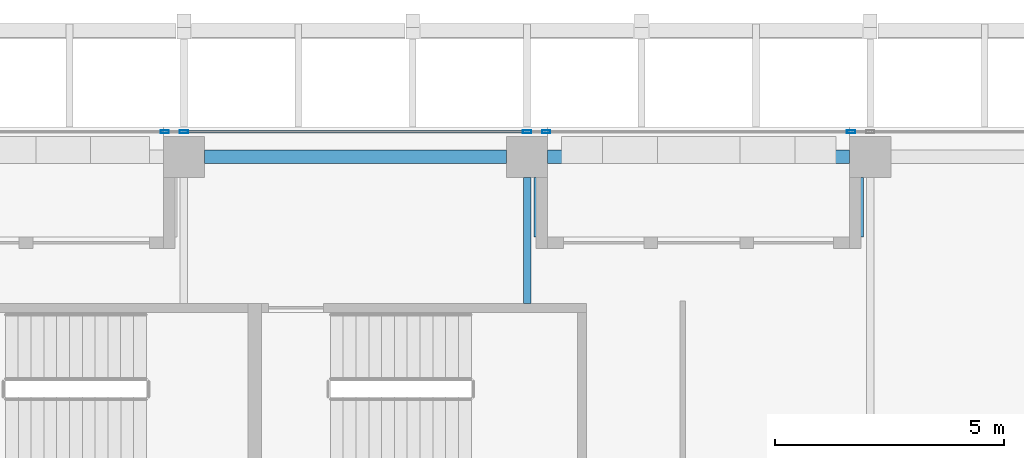
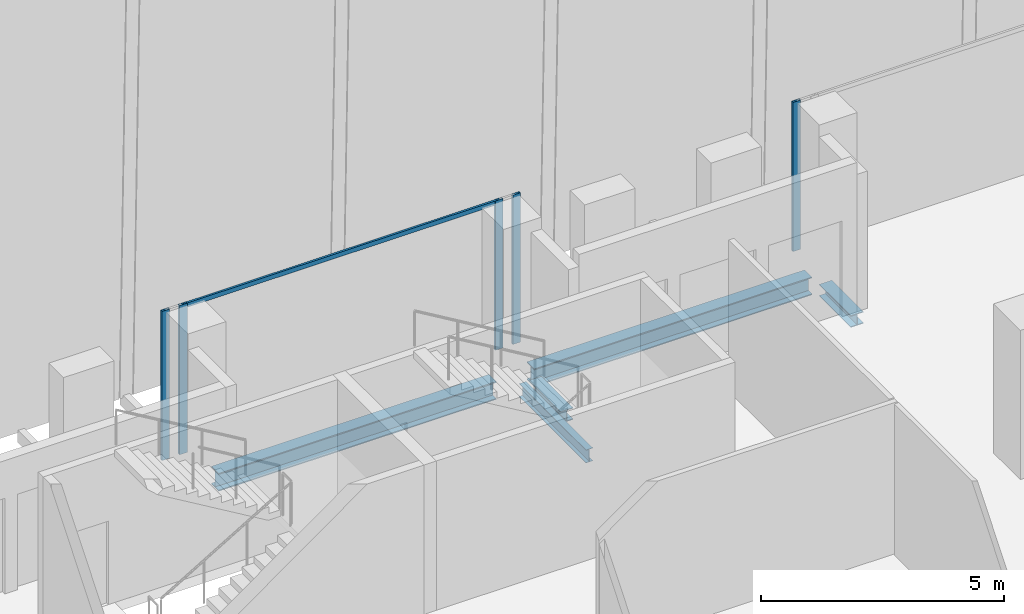
# One storey, part 16 of 33: 6 members, 5 beams, 2 elements without a shape of their own.
"""IFC4 building model written with IfcOpenShell, lengths in metres."""

import ifcopenshell
import ifcopenshell.guid

model = None  # the IFC model being written
_history = None  # IfcOwnerHistory: only IFC2X3 demands one
_inside = {}  # id of a spatial element -> (the spatial element, [elements in it])
_under = {}  # id of a project, library or spatial element -> (it, [spatial elements below it])
_declared = {}  # id of a project -> (the project, [libraries it declares])
_typed = {}  # id of a type object -> (the type object, [elements of that type])
_made_of = {}  # id of a material, layer set ... -> (it, [elements and type objects made of it])


def new_model(schema):
    """Start an empty IFC model of exactly this schema.

    Asked for "IFC4X3", IfcOpenShell would pick the latest addendum, in which some entities
    have other attributes; the version numbers below select the first issue.
    IFC2X3 requires an IfcOwnerHistory on every rooted entity: one is made here for all.
    """
    global model, _history
    if schema == "IFC4X3":
        model = ifcopenshell.file(schema_version=(4, 3, 0, 0))
    else:
        model = ifcopenshell.file(schema=schema)
    _inside.clear()
    _under.clear()
    _declared.clear()
    _typed.clear()
    _made_of.clear()
    _history = None
    if model.schema == "IFC2X3":
        org = make("IfcOrganization", Name="unknown")
        user = make(
            "IfcPersonAndOrganization",
            ThePerson=make("IfcPerson", FamilyName="unknown"),
            TheOrganization=org,
        )
        app = make(
            "IfcApplication",
            ApplicationDeveloper=org,
            Version="unknown",
            ApplicationFullName="unknown",
            ApplicationIdentifier="unknown",
        )
        _history = make(
            "IfcOwnerHistory",
            OwningUser=user,
            OwningApplication=app,
            ChangeAction="ADDED",
            CreationDate=0,
        )
    return model


def make(cls, **values):
    """One entity of the class cls with the attributes given. An attribute that is None is left unset."""
    return model.create_entity(
        cls, **{name: value for name, value in values.items() if value is not None}
    )


def rooted(cls, **values):
    """An entity with a GlobalId (a new one), such as an element, a storey or a relation."""
    return make(cls, GlobalId=ifcopenshell.guid.new(), OwnerHistory=_history, **values)


def si_unit(unit_type, name, prefix=None):
    """IfcSIUnit, for example si_unit("LENGTHUNIT", "METRE", prefix="MILLI")."""
    return make("IfcSIUnit", UnitType=unit_type, Prefix=prefix, Name=name)


def assignment(units):
    """IfcUnitAssignment: the units of a project."""
    return None if units is None else make("IfcUnitAssignment", Units=units)


def point(xyz):
    """IfcCartesianPoint."""
    return None if xyz is None else make("IfcCartesianPoint", Coordinates=xyz)


def direction(xyz):
    """IfcDirection."""
    return None if xyz is None else make("IfcDirection", DirectionRatios=xyz)


def frame(location, z_axis=None, x_axis=None):
    """IfcAxis2Placement3D, a coordinate frame: its origin and axes. An axis left out is left unset."""
    return make(
        "IfcAxis2Placement3D",
        Location=point(location),
        Axis=direction(z_axis),
        RefDirection=direction(x_axis),
    )


def frame_2d(location, x_axis=None):
    """IfcAxis2Placement2D, a coordinate frame in the plane: its origin and x axis."""
    return make(
        "IfcAxis2Placement2D", Location=point(location), RefDirection=direction(x_axis)
    )


def origin():
    """The frame at (0, 0, 0) with its axes left unset."""
    return frame((0.0, 0.0, 0.0))


def origin_2d():
    """The frame at (0, 0) in the plane with its x axis left unset."""
    return frame_2d((0.0, 0.0))


def place(relative_to, where):
    """IfcLocalPlacement: puts the frame where relative to a parent placement (None: the world)."""
    return make(
        "IfcLocalPlacement", PlacementRelTo=relative_to, RelativePlacement=where
    )


def context(
    kind, dimensions, precision=None, world=None, true_north=None, identifier=None
):
    """IfcGeometricRepresentationContext, for example the 3D "Model" context."""
    return make(
        "IfcGeometricRepresentationContext",
        ContextIdentifier=identifier,
        ContextType=kind,
        CoordinateSpaceDimension=dimensions,
        Precision=precision,
        WorldCoordinateSystem=world,
        TrueNorth=true_north,
    )


def subcontext(parent, identifier, kind, view, scale=None):
    """IfcGeometricRepresentationSubContext, for example "Body" below "Model"."""
    return make(
        "IfcGeometricRepresentationSubContext",
        ContextIdentifier=identifier,
        ContextType=kind,
        ParentContext=parent,
        TargetScale=scale,
        TargetView=view,
    )


def project(units=None, contexts=None):
    """IfcProject with its units and contexts."""
    return rooted(
        "IfcProject",
        Name="project",
        RepresentationContexts=contexts,
        UnitsInContext=assignment(units),
    )


def spatial(cls, under=None, at=None, **own):
    """A site, building, storey or space (cls), placed at a placement, below another one or the project."""
    s = rooted(cls, ObjectPlacement=at, **own)
    if under is not None:
        _under.setdefault(under.id(), (under, []))[1].append(s)
    return s


def profile(cls, at=None, kind="AREA", **sizes):
    """A parametric profile (cls). Its sizes go by their IFC names, for example OverallWidth=200.0."""
    return make(cls, ProfileType=kind, Position=at, **sizes)


def hollow_rectangle(**sizes):
    """IfcRectangleHollowProfileDef."""
    return profile("IfcRectangleHollowProfileDef", **sizes)


def i_section(**sizes):
    """IfcIShapeProfileDef."""
    return profile("IfcIShapeProfileDef", **sizes)


def extrude(swept, where, along, depth):
    """IfcExtrudedAreaSolid: the profile swept, set in the frame where, extruded along a direction by depth."""
    return make(
        "IfcExtrudedAreaSolid",
        SweptArea=swept,
        Position=where,
        ExtrudedDirection=direction(along),
        Depth=depth,
    )


def shape(context_of_items, identifier, shape_type, items):
    """IfcShapeRepresentation: the items that make up one representation, for example the "Body"."""
    return make(
        "IfcShapeRepresentation",
        ContextOfItems=context_of_items,
        RepresentationIdentifier=identifier,
        RepresentationType=shape_type,
        Items=items,
    )


def source(mapping_origin, context_of_items, identifier, shape_type, items):
    """IfcRepresentationMap: a shape defined once, which mapped items show again and again."""
    return make(
        "IfcRepresentationMap",
        MappingOrigin=mapping_origin,
        MappedRepresentation=shape(context_of_items, identifier, shape_type, items),
    )


def transform(
    local_origin,
    x_axis=None,
    y_axis=None,
    z_axis=None,
    scale=None,
    scale2=None,
    scale3=None,
    uniform=True,
):
    """IfcCartesianTransformationOperator3D, or its non-uniform kind. x_axis, y_axis, z_axis: its Axis1, 2, 3."""
    if uniform:
        return make(
            "IfcCartesianTransformationOperator3D",
            Axis1=direction(x_axis),
            Axis2=direction(y_axis),
            LocalOrigin=point(local_origin),
            Scale=scale,
            Axis3=direction(z_axis),
        )
    return make(
        "IfcCartesianTransformationOperator3DnonUniform",
        Axis1=direction(x_axis),
        Axis2=direction(y_axis),
        LocalOrigin=point(local_origin),
        Scale=scale,
        Axis3=direction(z_axis),
        Scale2=scale2,
        Scale3=scale3,
    )


def mapped(mapping_source, mapping_target):
    """IfcMappedItem: shows the shape of a source again, moved by a transform."""
    return make(
        "IfcMappedItem", MappingSource=mapping_source, MappingTarget=mapping_target
    )


def material(Name=None, Category=None):
    """IfcMaterial."""
    return make("IfcMaterial", Name=Name, Category=Category)


def material_profile(
    of_material, cross_section, Name=None, Category=None, Priority=None
):
    """IfcMaterialProfile: a cross section and its material."""
    return make(
        "IfcMaterialProfile",
        Name=Name,
        Material=of_material,
        Profile=cross_section,
        Priority=Priority,
        Category=Category,
    )


def profile_set(profiles, Name=None, composite=None):
    """IfcMaterialProfileSet."""
    return make(
        "IfcMaterialProfileSet",
        Name=Name,
        MaterialProfiles=profiles,
        CompositeProfile=composite,
    )


def made_of(thing, what):
    """Note that an element or type object is made of a material, layer set ...; save() writes the relation."""
    if what is not None:
        _made_of.setdefault(what.id(), (what, []))[1].append(thing)
    return thing


def type_object(cls, material=None, **own):
    """A type object (cls), such as IfcWallType, which elements share."""
    return made_of(rooted(cls, **own), material)


def element(
    cls,
    number,
    at=None,
    inside=None,
    cuts=None,
    type_object=None,
    material=None,
    context=None,
    identifier="Body",
    shape_type=None,
    held_by="IfcProductDefinitionShape",
    body=None,
    shapes=None,
    **own,
):
    """One element of the class cls, such as IfcWall. Its Tag is "e" and its number.

    at: its placement. inside: the storey or other place that contains it. cuts: it is an
    opening in that element (IfcRelVoidsElement). A single representation is given by context,
    identifier, shape_type and body (its items); several are given by shapes. held_by: the class
    of the entity that holds the representations. save() writes the other relations.
    """
    e = rooted(cls, Tag="e%d" % number, ObjectPlacement=at, **own)
    if body is not None:
        shapes = [shape(context, identifier, shape_type, body)]
    if shapes is not None:
        e.Representation = make(held_by, Representations=shapes)
    if inside is not None:
        _inside.setdefault(inside.id(), (inside, []))[1].append(e)
    if cuts is not None:
        rooted(
            "IfcRelVoidsElement", RelatingBuildingElement=cuts, RelatedOpeningElement=e
        )
    if type_object is not None:
        _typed.setdefault(type_object.id(), (type_object, []))[1].append(e)
    return made_of(e, material)


def aggregate(whole, parts):
    """IfcRelAggregates: a whole, such as a stair, and the parts it consists of."""
    return rooted("IfcRelAggregates", RelatingObject=whole, RelatedObjects=parts)


def save(model, path):
    """Write the relations noted so far, then the file.

    IfcRelAggregates (storeys below a building ...), IfcRelContainedInSpatialStructure (elements
    in a storey), IfcRelDefinesByType, IfcRelAssociatesMaterial and IfcRelDeclares: one each for
    every whole, place, type object, material and project.
    """
    for whole, parts in _under.values():
        aggregate(whole, parts)
    for where, things in _inside.values():
        rooted(
            "IfcRelContainedInSpatialStructure",
            RelatedElements=things,
            RelatingStructure=where,
        )
    for kind, things in _typed.values():
        rooted("IfcRelDefinesByType", RelatedObjects=things, RelatingType=kind)
    for what, things in _made_of.values():
        rooted("IfcRelAssociatesMaterial", RelatedObjects=things, RelatingMaterial=what)
    for by, libraries in _declared.values():
        rooted("IfcRelDeclares", RelatingContext=by, RelatedDefinitions=libraries)
    model.write(path)


model = new_model("IFC4")

# Units and contexts
model_context = context("Model", 3, precision=1e-05, world=origin(), true_north=direction((0.0, 1.0)))
body_context = subcontext(model_context, "Body", "Model", "MODEL_VIEW")
ifc_project = project(units=[si_unit("LENGTHUNIT", "METRE"), si_unit("AREAUNIT", "SQUARE_METRE"), si_unit("VOLUMEUNIT", "CUBIC_METRE"), si_unit("PLANEANGLEUNIT", "RADIAN"), si_unit("MASSUNIT", "GRAM", prefix="KILO")], contexts=[model_context])

# Site, building, storey
site_placement = place(None, origin())
site = spatial("IfcSite", under=ifc_project, at=site_placement, CompositionType="ELEMENT")
building_placement = place(site_placement, origin())
building = spatial("IfcBuilding", under=site, at=building_placement, Name="Khomas Fold Tower", CompositionType="ELEMENT")
storey_placement = place(building_placement, frame((0.0, 0.0, 234.199951171875)))
storey = spatial("IfcBuildingStorey", under=building, at=storey_placement, Name="L52", CompositionType="ELEMENT", Elevation=234.199951171875)

# Beams
ifc_material_1 = material(Name="Steel S355", Category="steel")
ifc_material_profile_1 = material_profile(ifc_material_1, i_section(OverallWidth=0.159912109375, OverallDepth=0.330078125, WebThickness=0.007568359375, FlangeThickness=0.011474609375, at=origin_2d()), Name="IPE 330")
ifc_profile_set_1 = profile_set([ifc_material_profile_1], Name="Steel S355")
beam_type_1 = type_object("IfcBeamType", Name="IPE 330 beam JB1", PredefinedType="BEAM", material=ifc_profile_set_1)
shared_shape_1 = source(origin(), body_context, "Body", "SweptSolid", [
    extrude(i_section(OverallWidth=0.159912109375, OverallDepth=0.330078125, WebThickness=0.007568359375, FlangeThickness=0.011474609375, at=origin_2d()), origin(), (0.0, 0.0, 1.0), 2.75),
])
beam_placement = place(storey_placement, frame((27.0, 45.64990234375, -0.4150390625), z_axis=(0.0, 1.0, 0.0), x_axis=(-1.0, 0.0, 0.0)))
element("IfcBeam", 1, at=beam_placement, inside=storey, type_object=beam_type_1, Name="JB1", PredefinedType="BEAM", context=body_context, shape_type="MappedRepresentation", body=[
    mapped(shared_shape_1, transform((0.0, 0.0, 0.0))),
])
ifc_material_2 = material(Name="Steel S355", Category="steel")
ifc_material_profile_2 = material_profile(ifc_material_2, i_section(OverallWidth=0.300048828125, OverallDepth=0.449951171875, WebThickness=0.013916015625, FlangeThickness=0.02587890625, at=origin_2d()), Name="HE 450 B")
ifc_profile_set_2 = profile_set([ifc_material_profile_2], Name="Steel S355")
beam_type_2 = type_object("IfcBeamType", Name="HE 450 B spandrel SB4", PredefinedType="SPANDREL", material=ifc_profile_set_2)
shared_shape_2 = source(origin(), body_context, "Body", "SweptSolid", [
    extrude(i_section(OverallWidth=0.300048828125, OverallDepth=0.449951171875, WebThickness=0.013916015625, FlangeThickness=0.02587890625, at=origin_2d()), origin(), (0.0, 0.0, 1.0), 6.60009765625),
])
for number, where, z_axis, x_axis, name in (
    (2, (27.449951171875, 48.85009765625, -0.474853515625), (1.0, 0.0, 0.0), (0.0, 1.0, 0.0), "SB4"),
    (3, (19.949951171875, 48.85009765625, -0.474853515625), (1.0, 0.0, 0.0), (0.0, 1.0, 0.0), "SB4"),
):
    element("IfcBeam", number, at=place(storey_placement, frame(where, z_axis=z_axis, x_axis=x_axis)), inside=storey, type_object=beam_type_2, Name=name, PredefinedType="SPANDREL", context=body_context, shape_type="MappedRepresentation", body=[
        mapped(shared_shape_2, transform((0.0, 0.0, 0.0))),
    ])
ifc_material_3 = material(Name="Steel S355", Category="steel")
ifc_material_profile_3 = material_profile(ifc_material_3, i_section(OverallWidth=0.300048828125, OverallDepth=0.300048828125, WebThickness=0.010986328125, FlangeThickness=0.01904296875, at=origin_2d()), Name="HE 300 B")
ifc_profile_set_3 = profile_set([ifc_material_profile_3], Name="Steel S355")
beam_type_3 = type_object("IfcBeamType", Name="HE 300 B beam BB1", PredefinedType="BEAM", material=ifc_profile_set_3)
shared_shape_3 = source(origin(), body_context, "Body", "SweptSolid", [
    extrude(i_section(OverallWidth=0.300048828125, OverallDepth=0.300048828125, WebThickness=0.010986328125, FlangeThickness=0.01904296875, at=origin_2d()), origin(), (0.0, 0.0, 1.0), 1.2998046875),
])
for number, where, z_axis, x_axis, name in (
    (4, (27.300048828125, 47.10009765625, -0.39990234375), (0.0, 1.0, 0.0), (-1.0, 0.0, 0.0), "BB1"),
    (5, (34.199951171875, 47.10009765625, -0.39990234375), (0.0, 1.0, 0.0), (-1.0, 0.0, 0.0), "BB1"),
):
    element("IfcBeam", number, at=place(storey_placement, frame(where, z_axis=z_axis, x_axis=x_axis)), inside=storey, type_object=beam_type_3, Name=name, PredefinedType="BEAM", context=body_context, shape_type="MappedRepresentation", body=[
        mapped(shared_shape_3, transform((0.0, 0.0, 0.0))),
    ])

# Curtain wall, member
ifc_material_4 = material(Name="Aluminium framed double glazing", Category="aluminium")
curtain_wall_type = type_object("IfcCurtainWallType", Name="SK-Unitised clear-glass wall, office floors CW2", PredefinedType="NOTDEFINED", material=ifc_material_4)
curtain_wall_1_placement = place(storey_placement, origin())
curtain_wall_1 = element("IfcCurtainWall", 6, at=curtain_wall_1_placement, inside=storey, type_object=curtain_wall_type, Name="CW2 run L52 06-0", PredefinedType="NOTDEFINED")
ifc_material_5 = material(Name="Aluminium", Category="aluminium")
ifc_material_profile_4 = material_profile(ifc_material_5, hollow_rectangle(XDim=0.06005859375, YDim=0.179931640625, WallThickness=0.00390625, at=origin_2d()), Name="SK-Unitised clear-glass wall, office floors mullion CW2-M")
ifc_profile_set_4 = profile_set([ifc_material_profile_4], Name="Aluminium")
member_type_1 = type_object("IfcMemberType", Name="SK-Unitised clear-glass wall, office floors mullion CW2-M", PredefinedType="MULLION", material=ifc_profile_set_4)
shared_shape_4 = source(origin(), body_context, "Body", "SweptSolid", [
    extrude(hollow_rectangle(XDim=0.06005859375, YDim=0.179931640625, WallThickness=0.00390625, at=origin_2d()), origin(), (0.0, 0.0, 1.0), 3.75),
])
member_1_placement = place(storey_placement, frame((34.080078125, 49.39990234375, 0.0), z_axis=(0.0, 0.0, 1.0), x_axis=(0.0, -1.0, 0.0)))
member_1 = element("IfcMember", 7, at=member_1_placement, type_object=member_type_1, Name="CW2 mullion 4", PredefinedType="MULLION", context=body_context, shape_type="MappedRepresentation", body=[
    mapped(shared_shape_4, transform((0.0, 0.0, 0.0))),
])
aggregate(curtain_wall_1, [member_1])

# Curtain wall, members
curtain_wall_2_placement = place(storey_placement, origin())
curtain_wall_2 = element("IfcCurtainWall", 8, at=curtain_wall_2_placement, inside=storey, type_object=curtain_wall_type, Name="CW2 run L52 06-1", PredefinedType="NOTDEFINED")
member_2_placement = place(storey_placement, frame((27.419921875, 49.39990234375, 0.0), z_axis=(0.0, 0.0, 1.0), x_axis=(0.0, -1.0, 0.0)))
member_2 = element("IfcMember", 9, at=member_2_placement, type_object=member_type_1, Name="CW2 mullion 1", PredefinedType="MULLION", context=body_context, shape_type="MappedRepresentation", body=[
    mapped(shared_shape_4, transform((0.0, 0.0, 0.0))),
])
member_3_placement = place(storey_placement, frame((27.0, 49.39990234375, 0.0), z_axis=(0.0, 0.0, 1.0), x_axis=(0.0, -1.0, 0.0)))
member_3 = element("IfcMember", 10, at=member_3_placement, type_object=member_type_1, Name="CW2 mullion 2", PredefinedType="MULLION", context=body_context, shape_type="MappedRepresentation", body=[
    mapped(shared_shape_4, transform((0.0, 0.0, 0.0))),
])
member_4_placement = place(storey_placement, frame((19.5, 49.39990234375, 0.0), z_axis=(0.0, 0.0, 1.0), x_axis=(0.0, -1.0, 0.0)))
member_4 = element("IfcMember", 11, at=member_4_placement, type_object=member_type_1, Name="CW2 mullion 3", PredefinedType="MULLION", context=body_context, shape_type="MappedRepresentation", body=[
    mapped(shared_shape_4, transform((0.0, 0.0, 0.0))),
])
member_5_placement = place(storey_placement, frame((19.080078125, 49.39990234375, 0.0), z_axis=(0.0, 0.0, 1.0), x_axis=(0.0, -1.0, 0.0)))
member_5 = element("IfcMember", 12, at=member_5_placement, type_object=member_type_1, Name="CW2 mullion 4", PredefinedType="MULLION", context=body_context, shape_type="MappedRepresentation", body=[
    mapped(shared_shape_4, transform((0.0, 0.0, 0.0))),
])
ifc_material_6 = material(Name="Aluminium", Category="aluminium")
ifc_material_profile_5 = material_profile(ifc_material_6, hollow_rectangle(XDim=0.050048828125, YDim=0.110107421875, WallThickness=0.00390625, at=origin_2d()), Name="SK-Unitised clear-glass wall, office floors transom CW2-T")
ifc_profile_set_5 = profile_set([ifc_material_profile_5], Name="Aluminium")
member_type_2 = type_object("IfcMemberType", Name="SK-Unitised clear-glass wall, office floors transom CW2-T", PredefinedType="USERDEFINED", material=ifc_profile_set_5)
shared_shape_5 = source(origin(), body_context, "Body", "SweptSolid", [
    extrude(hollow_rectangle(XDim=0.050048828125, YDim=0.110107421875, WallThickness=0.00390625, at=origin_2d()), origin(), (0.0, 0.0, 1.0), 7.43994140625),
])
member_6_placement = place(storey_placement, frame((26.969970703125, 49.39990234375, 3.695068359375), z_axis=(-1.0, 0.0, 0.0), x_axis=(0.0, -1.0, 0.0)))
member_6 = element("IfcMember", 13, at=member_6_placement, type_object=member_type_2, Name="CW2 transom 2", ObjectType="TRANSOM", PredefinedType="USERDEFINED", context=body_context, shape_type="MappedRepresentation", body=[
    mapped(shared_shape_5, transform((0.0, 0.0, 0.0))),
])
aggregate(curtain_wall_2, [member_2, member_3, member_4, member_5, member_6])

save(model, "model.ifc")
